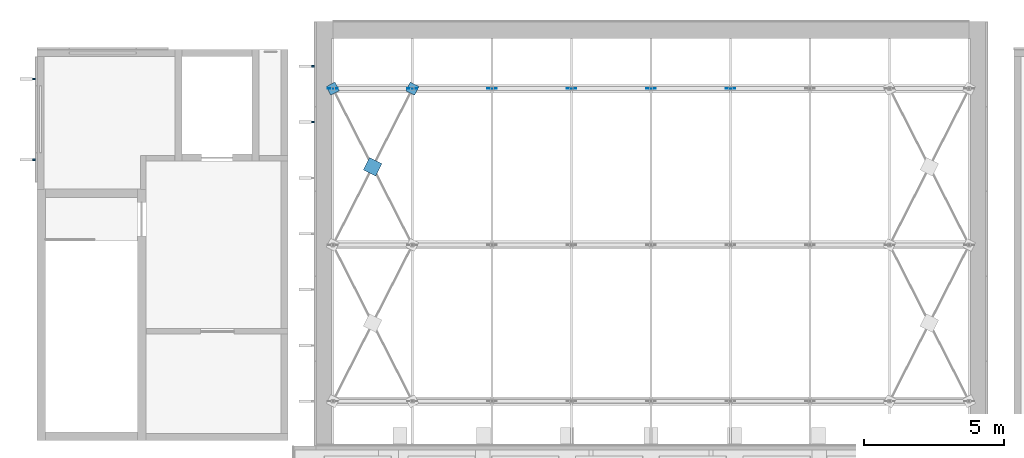
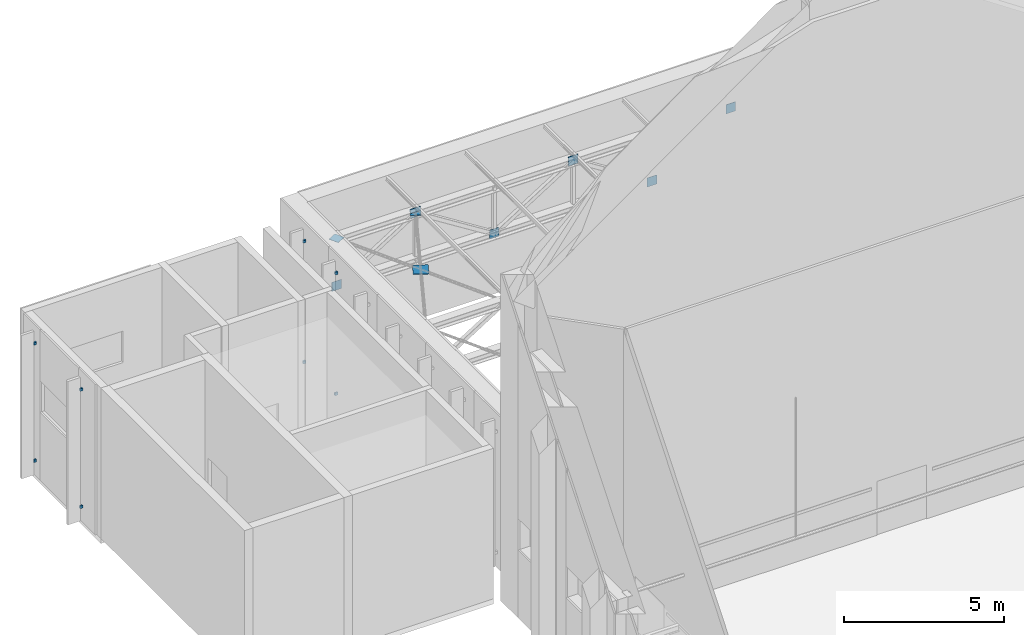
# One storey, part 51 of 55: 17 discrete accessories.
"""IFC4 building model written with IfcOpenShell, lengths in metres."""

from ifc_helpers import new_model, si_unit, direction, frame, origin, origin_2d, place, context, subcontext, project, spatial, rectangle, extrude, material, layer, layer_set, type_object, element, save


model = new_model("IFC4")

# Units and contexts
model_context = context("Model", 3, precision=1e-05, world=origin(), true_north=direction((0.0, 1.0)))
body_context = subcontext(model_context, "Body", "Model", "MODEL_VIEW")
ifc_project = project(units=[si_unit("LENGTHUNIT", "METRE"), si_unit("AREAUNIT", "SQUARE_METRE"), si_unit("VOLUMEUNIT", "CUBIC_METRE"), si_unit("PLANEANGLEUNIT", "RADIAN"), si_unit("MASSUNIT", "GRAM", prefix="KILO")], contexts=[model_context])

# Site, building, storey
site_placement = place(None, origin())
site = spatial("IfcSite", under=ifc_project, at=site_placement, CompositionType="ELEMENT")
building_placement = place(site_placement, origin())
building = spatial("IfcBuilding", under=site, at=building_placement, Name="Lunette Opera House", CompositionType="ELEMENT")
storey_placement = place(building_placement, frame((0.0, 0.0, 34.0)))
storey = spatial("IfcBuildingStorey", under=building, at=storey_placement, Name="L06", CompositionType="ELEMENT", Elevation=34.0)

# Discrete accessories
ifc_material_1 = material(Name="Steel S355", Category="steel")
ifc_layer_1 = layer(ifc_material_1, 0.011962890625)
ifc_layer_set_1 = layer_set([ifc_layer_1], Name="Steel S355")
discrete_accessory_type_1 = type_object("IfcDiscreteAccessoryType", Name="BRACE GUSSET PLATE 12", PredefinedType="USERDEFINED", material=ifc_layer_set_1)
for number, where, z_axis, x_axis, name in (
    (1, (84.60009765625, 133.60009765625, 3.599853515625), (0.0, 0.0, 1.0), (1.0, 0.0, 0.0), "Gusset plate 170"),
    (2, (87.449951171875, 133.60009765625, 5.39990234375), (0.0, 0.0, 1.0), (1.0, 0.0, 0.0), "Gusset plate 171"),
    (3, (90.300048828125, 133.60009765625, 3.599853515625), (0.0, 0.0, 1.0), (1.0, 0.0, 0.0), "Gusset plate 172"),
    (4, (93.14990234375, 133.60009765625, 5.39990234375), (0.0, 0.0, 1.0), (1.0, 0.0, 0.0), "Gusset plate 173"),
    (5, (96.0, 133.60009765625, 3.599853515625), (0.0, 0.0, 1.0), (1.0, 0.0, 0.0), "Gusset plate 174"),
    (6, (98.85009765625, 133.60009765625, 5.39990234375), (0.0, 0.0, 1.0), (1.0, 0.0, 0.0), "Gusset plate 175"),
):
    element("IfcDiscreteAccessory", number, at=place(storey_placement, frame(where, z_axis=z_axis, x_axis=x_axis)), inside=storey, type_object=discrete_accessory_type_1, Name=name, ObjectType="GUSSET PLATE", PredefinedType="USERDEFINED", context=body_context, shape_type="SweptSolid", body=[
        extrude(rectangle(XDim=0.35009765625, YDim=0.011962890625, at=origin_2d()), origin(), (0.0, 0.0, 1.0), 0.35009765625),
    ])
for number, where, z_axis, x_axis, name in (
    (7, (87.449951171875, 133.60009765625, 5.56884765625), (0.0, 0.0, 1.0), (0.453567461466, 0.891221946487, 0.0), "Gusset plate 184"),
    (8, (84.60009765625, 133.60009765625, 5.56884765625), (0.0, 0.0, 1.0), (-0.453567461466, 0.891221946487, 0.0), "Gusset plate 348"),
):
    element("IfcDiscreteAccessory", number, at=place(storey_placement, frame(where, z_axis=z_axis, x_axis=x_axis)), inside=storey, type_object=discrete_accessory_type_1, Name=name, ObjectType="GUSSET PLATE", PredefinedType="USERDEFINED", context=body_context, shape_type="SweptSolid", body=[
        extrude(rectangle(XDim=0.35009765625, YDim=0.35009765625, at=origin_2d()), origin(), (0.0, 0.0, 1.0), 0.011962890625),
    ])
ifc_material_2 = material(Name="Galvanised steel", Category="steel")
discrete_accessory_type_2 = type_object("IfcDiscreteAccessoryType", Name="FIN BRACKET STEEL", PredefinedType="BRACKET", material=ifc_material_2)
for number, where, z_axis, x_axis, name in (
    (9, (83.889892578125, 132.39990234375, 0.56494140625), (0.0, 0.0, 1.0), (-1.0, 0.0, 0.0), "Fin bracket ST-W090 6 1"),
    (10, (83.889892578125, 132.39990234375, 5.179931640625), (0.0, 0.0, 1.0), (-1.0, 0.0, 0.0), "Fin bracket ST-W090 6 2"),
    (11, (83.889892578125, 134.39990234375, 0.56494140625), (0.0, 0.0, 1.0), (-1.0, 0.0, 0.0), "Fin bracket ST-W090 7 1"),
    (12, (83.889892578125, 134.39990234375, 5.179931640625), (0.0, 0.0, 1.0), (-1.0, 0.0, 0.0), "Fin bracket ST-W090 7 2"),
    (13, (73.889892578125, 133.949951171875, 0.56494140625), (0.0, 0.0, 1.0), (-1.0, 0.0, 0.0), "Fin bracket ST-W2056 1 1"),
    (14, (73.889892578125, 133.949951171875, 5.050048828125), (0.0, 0.0, 1.0), (-1.0, 0.0, 0.0), "Fin bracket ST-W2056 1 2"),
    (15, (73.889892578125, 131.050048828125, 0.56494140625), (0.0, 0.0, 1.0), (-1.0, 0.0, 0.0), "Fin bracket ST-W2056 2 1"),
    (16, (73.889892578125, 131.050048828125, 5.050048828125), (0.0, 0.0, 1.0), (-1.0, 0.0, 0.0), "Fin bracket ST-W2056 2 2"),
):
    element("IfcDiscreteAccessory", number, at=place(storey_placement, frame(where, z_axis=z_axis, x_axis=x_axis)), inside=storey, type_object=discrete_accessory_type_2, Name=name, PredefinedType="BRACKET", context=body_context, shape_type="SweptSolid", body=[
        extrude(rectangle(XDim=0.10009765625, YDim=0.06005859375, at=origin_2d()), origin(), (0.0, 0.0, 1.0), 0.10009765625),
    ])
ifc_material_3 = material(Name="Steel S355", Category="steel")
ifc_layer_2 = layer(ifc_material_3, 0.01611328125)
ifc_layer_set_2 = layer_set([ifc_layer_2], Name="Steel S355")
discrete_accessory_type_3 = type_object("IfcDiscreteAccessoryType", Name="X-BRACE NODE PLATE 16", PredefinedType="USERDEFINED", material=ifc_layer_set_2)
discrete_accessory_placement = place(storey_placement, frame((86.02490234375, 130.800048828125, 5.56689453125), z_axis=(0.0, 0.0, 1.0), x_axis=(0.453567461466, 0.891221946487, 0.0)))
element("IfcDiscreteAccessory", 17, at=discrete_accessory_placement, inside=storey, type_object=discrete_accessory_type_3, Name="X-brace node plate 11", ObjectType="NODE PLATE", PredefinedType="USERDEFINED", context=body_context, shape_type="SweptSolid", body=[
    extrude(rectangle(XDim=0.5, YDim=0.5, at=origin_2d()), origin(), (0.0, 0.0, 1.0), 0.01611328125),
])

save(model, "model.ifc")
